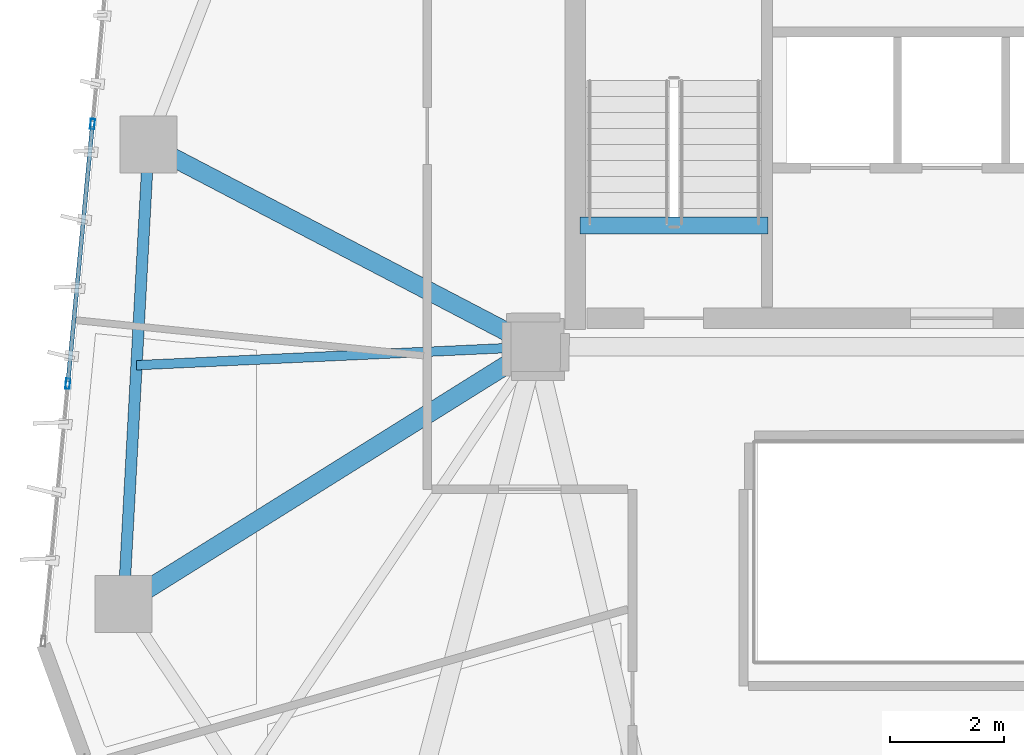
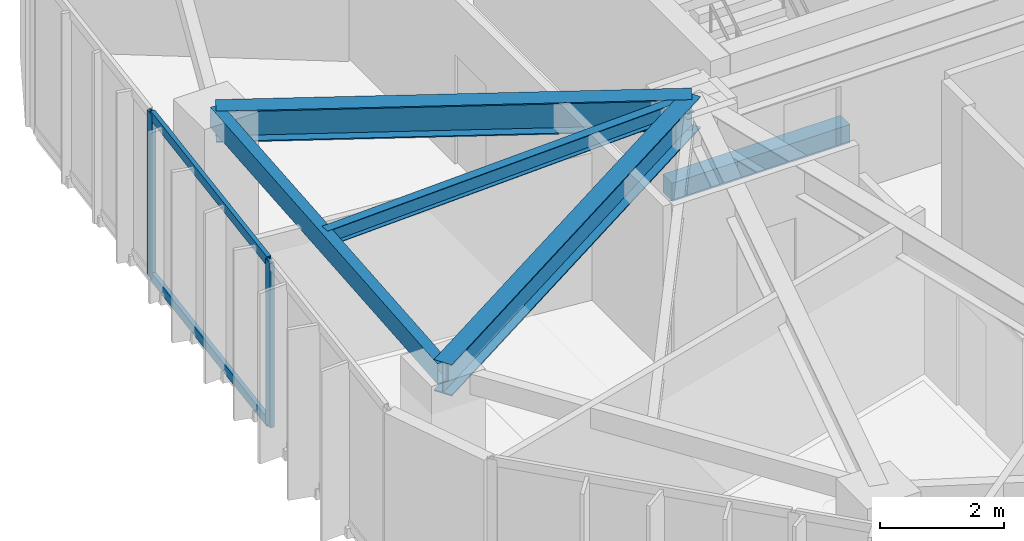
# One storey, part 7 of 21: 5 beams, 4 members, 1 element without a shape of its own.
"""IFC4 building model written with IfcOpenShell, lengths in metres."""

from ifc_helpers import new_model, si_unit, direction, frame, origin, origin_2d, place, context, subcontext, project, spatial, rectangle, hollow_rectangle, i_section, extrude, source, transform, mapped, material, layer, layer_set, material_profile, profile_set, type_object, type_shapes, element, aggregate, save


model = new_model("IFC4")

# Units and contexts
model_context = context("Model", 3, precision=1e-05, world=origin(), true_north=direction((0.0, 1.0)))
body_context = subcontext(model_context, "Body", "Model", "MODEL_VIEW")
ifc_project = project(units=[si_unit("LENGTHUNIT", "METRE"), si_unit("AREAUNIT", "SQUARE_METRE"), si_unit("VOLUMEUNIT", "CUBIC_METRE"), si_unit("PLANEANGLEUNIT", "RADIAN"), si_unit("MASSUNIT", "GRAM", prefix="KILO")], contexts=[model_context])

# Site, building, storey
site_placement = place(None, origin())
site = spatial("IfcSite", under=ifc_project, at=site_placement, CompositionType="ELEMENT")
building_placement = place(site_placement, origin())
building = spatial("IfcBuilding", under=site, at=building_placement, Name="Talar Marvaseh", CompositionType="ELEMENT")
storey_placement = place(building_placement, frame((0.0, 0.0, 225.699951171875)))
storey = spatial("IfcBuildingStorey", under=building, at=storey_placement, Name="L59", CompositionType="ELEMENT", Elevation=225.699951171875)

# Beams
ifc_material_1 = material(Name="Concrete C40/50", Category="concrete")
ifc_material_profile_1 = material_profile(ifc_material_1, rectangle(XDim=0.300048828125, YDim=0.360107421875, at=origin_2d()), Name="RC300x360")
ifc_profile_set_1 = profile_set([ifc_material_profile_1], Name="Concrete C40/50")
beam_type_1 = type_object("IfcBeamType", Name="Concrete Stair Landing Trimmer Beam RC300x360", PredefinedType="SPANDREL", material=ifc_profile_set_1)
beam_1_placement = place(storey_placement, frame((22.780029296875, 27.6298828125, -0.179931640625), z_axis=(-1.0, 0.0, 0.0), x_axis=(0.0, -1.0, 0.0)))
element("IfcBeam", 1, at=beam_1_placement, inside=storey, type_object=beam_type_1, Name="L59 ST-1 Stair Nosing Trimmer Beam", PredefinedType="SPANDREL", context=body_context, shape_type="SweptSolid", body=[
    extrude(rectangle(XDim=0.300048828125, YDim=0.360107421875, at=origin_2d()), origin(), (0.0, 0.0, 1.0), 3.300048828125),
])
ifc_material_2 = material(Name="Steel S355", Category="steel")
ifc_material_profile_2 = material_profile(ifc_material_2, hollow_rectangle(XDim=0.199951171875, YDim=0.39990234375, WallThickness=0.013916015625, at=origin_2d()), Name="RHS400x200x14")
ifc_profile_set_2 = profile_set([ifc_material_profile_2], Name="Steel S355")
beam_type_2 = type_object("IfcBeamType", Name="Zone 3 Perimeter Spandrel Beam RHS400x200x14", PredefinedType="SPANDREL", material=ifc_profile_set_2)
beam_2_placement = place(storey_placement, frame((11.471923828125, 20.986083984375, 3.030029296875), z_axis=(0.054148078426, 0.998532916635, 0.0), x_axis=(-0.998532916635, 0.054148078426, 0.0)))
element("IfcBeam", 2, at=beam_2_placement, inside=storey, type_object=beam_type_2, Name="L59 Zone 3 Perimeter Spandrel Beam RHS400x200x14", PredefinedType="SPANDREL", context=body_context, shape_type="SweptSolid", body=[
    extrude(hollow_rectangle(XDim=0.199951171875, YDim=0.39990234375, WallThickness=0.013916015625, at=origin_2d()), origin(), (0.0, 0.0, 1.0), 8.070556640625),
])
ifc_material_profile_3 = material_profile(ifc_material_2, i_section(OverallWidth=0.324951171875, OverallDepth=0.615966796875, WebThickness=0.013916015625, FlangeThickness=0.021484375, at=origin_2d()), Name="W610x174")
ifc_profile_set_3 = profile_set([ifc_material_profile_3], Name="Steel S355")
beam_type_3 = type_object("IfcBeamType", Name="Zone 3 Radial Floor Girder W610x174", PredefinedType="BEAM", material=ifc_profile_set_3)
beam_3_placement = place(storey_placement, frame((11.471923828125, 20.986083984375, 2.922119140625), z_axis=(0.848188171212, 0.52969503133, 0.0), x_axis=(-0.52969503133, 0.848188171212, 0.0)))
element("IfcBeam", 3, at=beam_3_placement, inside=storey, type_object=beam_type_3, Name="L59 Zone 3 Radial Floor Girder W610x174", PredefinedType="BEAM", context=body_context, shape_type="SweptSolid", body=[
    extrude(i_section(OverallWidth=0.324951171875, OverallDepth=0.615966796875, WebThickness=0.013916015625, FlangeThickness=0.021484375, at=origin_2d()), origin(), (0.0, 0.0, 1.0), 8.521728515625),
])
beam_4_placement = place(storey_placement, frame((11.908935546875, 29.044921875, 2.922119140625), z_axis=(0.886489360055, -0.462748975697, 0.0), x_axis=(0.462748975697, 0.886489360055, 0.0)))
element("IfcBeam", 4, at=beam_4_placement, inside=storey, type_object=beam_type_3, Name="L59 Zone 3 Radial Floor Girder W610x174", PredefinedType="BEAM", context=body_context, shape_type="SweptSolid", body=[
    extrude(i_section(OverallWidth=0.324951171875, OverallDepth=0.615966796875, WebThickness=0.013916015625, FlangeThickness=0.021484375, at=origin_2d()), origin(), (0.0, 0.0, 1.0), 7.66064453125),
])
ifc_material_profile_4 = material_profile(ifc_material_2, i_section(OverallWidth=0.166015625, OverallDepth=0.31298828125, WebThickness=0.006591796875, FlangeThickness=0.01123046875, at=origin_2d()), Name="W310x45")
ifc_profile_set_4 = profile_set([ifc_material_profile_4], Name="Steel S355")
beam_type_4 = type_object("IfcBeamType", Name="Zone 3 Secondary Floor Joist W310x45", PredefinedType="JOIST", material=ifc_profile_set_4)
beam_5_placement = place(storey_placement, frame((11.69921875, 25.1767578125, 3.073486328125), z_axis=(0.998935745755, 0.046123484826, 0.0), x_axis=(-0.046123484826, 0.998935745755, 0.0)))
element("IfcBeam", 5, at=beam_5_placement, inside=storey, type_object=beam_type_4, Name="L59 Zone 3 Secondary Floor Joist W310x45", PredefinedType="JOIST", context=body_context, shape_type="SweptSolid", body=[
    extrude(i_section(OverallWidth=0.166015625, OverallDepth=0.31298828125, WebThickness=0.006591796875, FlangeThickness=0.01123046875, at=origin_2d()), origin(), (0.0, 0.0, 1.0), 7.00830078125),
])

# Curtain wall, members
ifc_material_3 = material(Name="Architectural Aluminium", Category="aluminium")
ifc_layer = layer(ifc_material_3, 0.18994140625)
ifc_layer_set = layer_set([ifc_layer], Name="Architectural Aluminium")
curtain_wall_type = type_object("IfcCurtainWallType", Name="Unitised Solar Atelier Curtain Wall Z3", PredefinedType="NOTDEFINED", material=ifc_layer_set)
curtain_wall_placement = place(storey_placement, origin())
curtain_wall = element("IfcCurtainWall", 6, at=curtain_wall_placement, inside=storey, type_object=curtain_wall_type, Name="L59 Unitised Solar Atelier Curtain Wall Z3", PredefinedType="NOTDEFINED")
ifc_material_profile_5 = material_profile(ifc_material_3, hollow_rectangle(XDim=0.074951171875, YDim=0.179931640625, WallThickness=0.0048828125, at=origin_2d()), Name="RHS180x75x5")
ifc_profile_set_5 = profile_set([ifc_material_profile_5], Name="Architectural Aluminium")
member_type_1 = type_object("IfcMemberType", Name="Unitised Curtain Wall Standard Mullion RHS180x75x5", PredefinedType="MULLION", material=ifc_profile_set_5)
shared_shape_1 = source(origin(), body_context, "Body", "SweptSolid", [
    extrude(hollow_rectangle(XDim=0.074951171875, YDim=0.179931640625, WallThickness=0.0048828125, at=origin_2d()), origin(), (0.0, 0.0, 1.0), 3.22998046875),
])
type_shapes(member_type_1, [shared_shape_1])
member_1_placement = place(storey_placement, frame((10.494384765625, 24.852783203125, 0.0), z_axis=(0.0, 0.0, 1.0), x_axis=(-0.995508620386, 0.094670939239, 0.0)))
member_1 = element("IfcMember", 7, at=member_1_placement, type_object=member_type_1, Name="CW-Z3 mullion 2", PredefinedType="MULLION", context=body_context, shape_type="MappedRepresentation", body=[
    mapped(shared_shape_1, transform((0.0, 0.0, 0.0), x_axis=(1.0, 0.0, 0.0), y_axis=(0.0, 1.0, 0.0), z_axis=(0.0, 0.0, 1.0), scale=1.0)),
])
member_2_placement = place(storey_placement, frame((10.927734375, 29.409423828125, 0.0), z_axis=(0.0, 0.0, 1.0), x_axis=(-0.995508620386, 0.094670939239, 0.0)))
member_2 = element("IfcMember", 8, at=member_2_placement, type_object=member_type_1, Name="CW-Z3 mullion 3", PredefinedType="MULLION", context=body_context, shape_type="MappedRepresentation", body=[
    mapped(shared_shape_1, transform((0.0, 0.0, 0.0), x_axis=(1.0, 0.0, 0.0), y_axis=(0.0, 1.0, 0.0), z_axis=(0.0, 0.0, 1.0), scale=1.0)),
])
ifc_material_profile_6 = material_profile(ifc_material_3, hollow_rectangle(XDim=0.074951171875, YDim=0.179931640625, WallThickness=0.0048828125, at=origin_2d()), Name="RHS180x75x5")
ifc_profile_set_6 = profile_set([ifc_material_profile_6], Name="Architectural Aluminium")
member_type_2 = type_object("IfcMemberType", Name="Unitised Curtain Wall Transom RHS180x75x5", PredefinedType="USERDEFINED", material=ifc_profile_set_6)
shared_shape_2 = source(origin(), body_context, "Body", "SweptSolid", [
    extrude(hollow_rectangle(XDim=0.074951171875, YDim=0.179931640625, WallThickness=0.0048828125, at=origin_2d()), origin(), (0.0, 0.0, 1.0), 4.502197265625),
])
type_shapes(member_type_2, [shared_shape_2])
member_3_placement = place(storey_placement, frame((10.497802734375, 24.89013671875, 0.03759765625), z_axis=(0.094681139419, 0.995507650316, 0.0), x_axis=(-0.995507650316, 0.094681139419, 0.0)))
member_3 = element("IfcMember", 9, at=member_3_placement, type_object=member_type_2, Name="CW-Z3 transom 2.1", ObjectType="TRANSOM", PredefinedType="USERDEFINED", context=body_context, shape_type="MappedRepresentation", body=[
    mapped(shared_shape_2, transform((0.0, 0.0, 0.0), x_axis=(1.0, 0.0, 0.0), y_axis=(0.0, 1.0, 0.0), z_axis=(0.0, 0.0, 1.0), scale=1.0)),
])
member_4_placement = place(storey_placement, frame((10.497802734375, 24.89013671875, 3.192626953125), z_axis=(0.094681139419, 0.995507650316, 0.0), x_axis=(-0.995507650316, 0.094681139419, 0.0)))
member_4 = element("IfcMember", 10, at=member_4_placement, type_object=member_type_2, Name="CW-Z3 transom 2.2", ObjectType="TRANSOM", PredefinedType="USERDEFINED", context=body_context, shape_type="MappedRepresentation", body=[
    mapped(shared_shape_2, transform((0.0, 0.0, 0.0), x_axis=(1.0, 0.0, 0.0), y_axis=(0.0, 1.0, 0.0), z_axis=(0.0, 0.0, 1.0), scale=1.0)),
])
aggregate(curtain_wall, [member_1, member_2, member_3, member_4])

save(model, "model.ifc")
